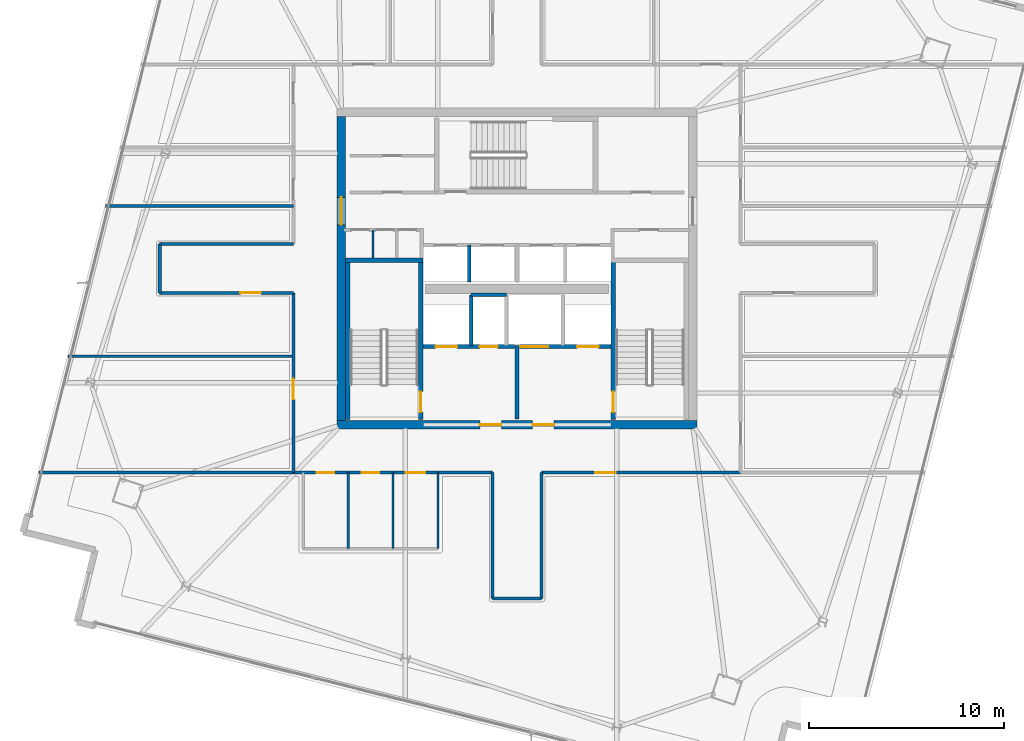
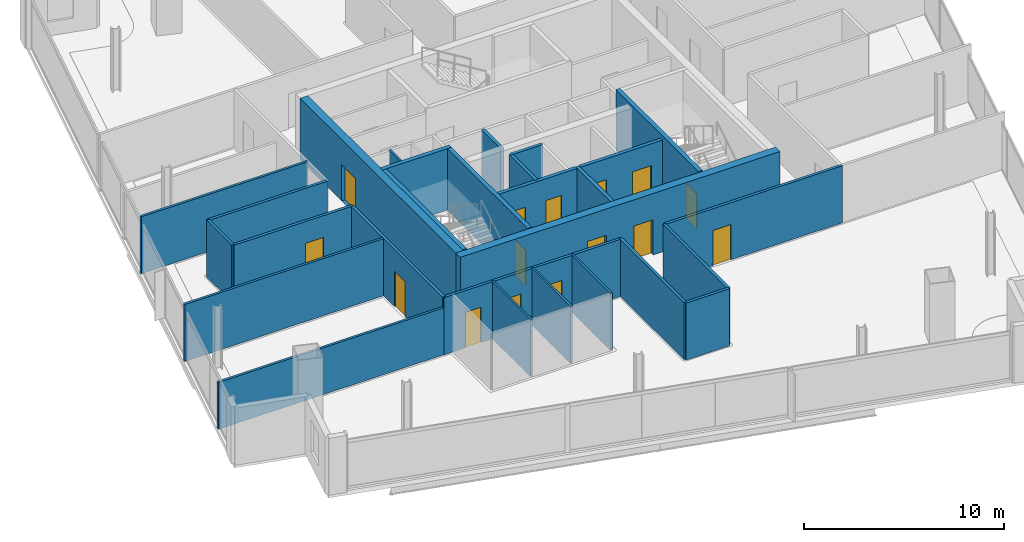
# One storey, part 20 of 28: 28 walls, 15 doors, 15 openings.
"""IFC4 building model written with IfcOpenShell, lengths in metres."""

import ifcopenshell
import ifcopenshell.guid

model = None  # the IFC model being written
_history = None  # IfcOwnerHistory: only IFC2X3 demands one
_inside = {}  # id of a spatial element -> (the spatial element, [elements in it])
_under = {}  # id of a project, library or spatial element -> (it, [spatial elements below it])
_declared = {}  # id of a project -> (the project, [libraries it declares])
_typed = {}  # id of a type object -> (the type object, [elements of that type])
_made_of = {}  # id of a material, layer set ... -> (it, [elements and type objects made of it])


def new_model(schema):
    """Start an empty IFC model of exactly this schema.

    Asked for "IFC4X3", IfcOpenShell would pick the latest addendum, in which some entities
    have other attributes; the version numbers below select the first issue.
    IFC2X3 requires an IfcOwnerHistory on every rooted entity: one is made here for all.
    """
    global model, _history
    if schema == "IFC4X3":
        model = ifcopenshell.file(schema_version=(4, 3, 0, 0))
    else:
        model = ifcopenshell.file(schema=schema)
    _inside.clear()
    _under.clear()
    _declared.clear()
    _typed.clear()
    _made_of.clear()
    _history = None
    if model.schema == "IFC2X3":
        org = make("IfcOrganization", Name="unknown")
        user = make(
            "IfcPersonAndOrganization",
            ThePerson=make("IfcPerson", FamilyName="unknown"),
            TheOrganization=org,
        )
        app = make(
            "IfcApplication",
            ApplicationDeveloper=org,
            Version="unknown",
            ApplicationFullName="unknown",
            ApplicationIdentifier="unknown",
        )
        _history = make(
            "IfcOwnerHistory",
            OwningUser=user,
            OwningApplication=app,
            ChangeAction="ADDED",
            CreationDate=0,
        )
    return model


def make(cls, **values):
    """One entity of the class cls with the attributes given. An attribute that is None is left unset."""
    return model.create_entity(
        cls, **{name: value for name, value in values.items() if value is not None}
    )


def rooted(cls, **values):
    """An entity with a GlobalId (a new one), such as an element, a storey or a relation."""
    return make(cls, GlobalId=ifcopenshell.guid.new(), OwnerHistory=_history, **values)


def si_unit(unit_type, name, prefix=None):
    """IfcSIUnit, for example si_unit("LENGTHUNIT", "METRE", prefix="MILLI")."""
    return make("IfcSIUnit", UnitType=unit_type, Prefix=prefix, Name=name)


def assignment(units):
    """IfcUnitAssignment: the units of a project."""
    return None if units is None else make("IfcUnitAssignment", Units=units)


def point(xyz):
    """IfcCartesianPoint."""
    return None if xyz is None else make("IfcCartesianPoint", Coordinates=xyz)


def direction(xyz):
    """IfcDirection."""
    return None if xyz is None else make("IfcDirection", DirectionRatios=xyz)


def frame(location, z_axis=None, x_axis=None):
    """IfcAxis2Placement3D, a coordinate frame: its origin and axes. An axis left out is left unset."""
    return make(
        "IfcAxis2Placement3D",
        Location=point(location),
        Axis=direction(z_axis),
        RefDirection=direction(x_axis),
    )


def frame_2d(location, x_axis=None):
    """IfcAxis2Placement2D, a coordinate frame in the plane: its origin and x axis."""
    return make(
        "IfcAxis2Placement2D", Location=point(location), RefDirection=direction(x_axis)
    )


def origin():
    """The frame at (0, 0, 0) with its axes left unset."""
    return frame((0.0, 0.0, 0.0))


def place(relative_to, where):
    """IfcLocalPlacement: puts the frame where relative to a parent placement (None: the world)."""
    return make(
        "IfcLocalPlacement", PlacementRelTo=relative_to, RelativePlacement=where
    )


def context(
    kind, dimensions, precision=None, world=None, true_north=None, identifier=None
):
    """IfcGeometricRepresentationContext, for example the 3D "Model" context."""
    return make(
        "IfcGeometricRepresentationContext",
        ContextIdentifier=identifier,
        ContextType=kind,
        CoordinateSpaceDimension=dimensions,
        Precision=precision,
        WorldCoordinateSystem=world,
        TrueNorth=true_north,
    )


def subcontext(parent, identifier, kind, view, scale=None):
    """IfcGeometricRepresentationSubContext, for example "Body" below "Model"."""
    return make(
        "IfcGeometricRepresentationSubContext",
        ContextIdentifier=identifier,
        ContextType=kind,
        ParentContext=parent,
        TargetScale=scale,
        TargetView=view,
    )


def project(units=None, contexts=None):
    """IfcProject with its units and contexts."""
    return rooted(
        "IfcProject",
        Name="project",
        RepresentationContexts=contexts,
        UnitsInContext=assignment(units),
    )


def spatial(cls, under=None, at=None, **own):
    """A site, building, storey or space (cls), placed at a placement, below another one or the project."""
    s = rooted(cls, ObjectPlacement=at, **own)
    if under is not None:
        _under.setdefault(under.id(), (under, []))[1].append(s)
    return s


def profile(cls, at=None, kind="AREA", **sizes):
    """A parametric profile (cls). Its sizes go by their IFC names, for example OverallWidth=200.0."""
    return make(cls, ProfileType=kind, Position=at, **sizes)


def rectangle(**sizes):
    """IfcRectangleProfileDef."""
    return profile("IfcRectangleProfileDef", **sizes)


def extrude(swept, where, along, depth):
    """IfcExtrudedAreaSolid: the profile swept, set in the frame where, extruded along a direction by depth."""
    return make(
        "IfcExtrudedAreaSolid",
        SweptArea=swept,
        Position=where,
        ExtrudedDirection=direction(along),
        Depth=depth,
    )


def shape(context_of_items, identifier, shape_type, items):
    """IfcShapeRepresentation: the items that make up one representation, for example the "Body"."""
    return make(
        "IfcShapeRepresentation",
        ContextOfItems=context_of_items,
        RepresentationIdentifier=identifier,
        RepresentationType=shape_type,
        Items=items,
    )


def material(Name=None, Category=None):
    """IfcMaterial."""
    return make("IfcMaterial", Name=Name, Category=Category)


def layer(
    of_material, thickness, ventilated=None, Name=None, Category=None, Priority=None
):
    """IfcMaterialLayer: one layer of a wall or slab, of a material (None: an air gap)."""
    return make(
        "IfcMaterialLayer",
        Material=of_material,
        LayerThickness=thickness,
        IsVentilated=ventilated,
        Name=Name,
        Category=Category,
        Priority=Priority,
    )


def layer_set(layers, Name=None):
    """IfcMaterialLayerSet."""
    return make("IfcMaterialLayerSet", MaterialLayers=layers, LayerSetName=Name)


def made_of(thing, what):
    """Note that an element or type object is made of a material, layer set ...; save() writes the relation."""
    if what is not None:
        _made_of.setdefault(what.id(), (what, []))[1].append(thing)
    return thing


def type_object(cls, material=None, **own):
    """A type object (cls), such as IfcWallType, which elements share."""
    return made_of(rooted(cls, **own), material)


def element(
    cls,
    number,
    at=None,
    inside=None,
    cuts=None,
    type_object=None,
    material=None,
    context=None,
    identifier="Body",
    shape_type=None,
    held_by="IfcProductDefinitionShape",
    body=None,
    shapes=None,
    **own,
):
    """One element of the class cls, such as IfcWall. Its Tag is "e" and its number.

    at: its placement. inside: the storey or other place that contains it. cuts: it is an
    opening in that element (IfcRelVoidsElement). A single representation is given by context,
    identifier, shape_type and body (its items); several are given by shapes. held_by: the class
    of the entity that holds the representations. save() writes the other relations.
    """
    e = rooted(cls, Tag="e%d" % number, ObjectPlacement=at, **own)
    if body is not None:
        shapes = [shape(context, identifier, shape_type, body)]
    if shapes is not None:
        e.Representation = make(held_by, Representations=shapes)
    if inside is not None:
        _inside.setdefault(inside.id(), (inside, []))[1].append(e)
    if cuts is not None:
        rooted(
            "IfcRelVoidsElement", RelatingBuildingElement=cuts, RelatedOpeningElement=e
        )
    if type_object is not None:
        _typed.setdefault(type_object.id(), (type_object, []))[1].append(e)
    return made_of(e, material)


def fill(opening, filler):
    """IfcRelFillsElement: the door or window that sits in an opening."""
    return rooted(
        "IfcRelFillsElement",
        RelatingOpeningElement=opening,
        RelatedBuildingElement=filler,
    )


def aggregate(whole, parts):
    """IfcRelAggregates: a whole, such as a stair, and the parts it consists of."""
    return rooted("IfcRelAggregates", RelatingObject=whole, RelatedObjects=parts)


def save(model, path):
    """Write the relations noted so far, then the file.

    IfcRelAggregates (storeys below a building ...), IfcRelContainedInSpatialStructure (elements
    in a storey), IfcRelDefinesByType, IfcRelAssociatesMaterial and IfcRelDeclares: one each for
    every whole, place, type object, material and project.
    """
    for whole, parts in _under.values():
        aggregate(whole, parts)
    for where, things in _inside.values():
        rooted(
            "IfcRelContainedInSpatialStructure",
            RelatedElements=things,
            RelatingStructure=where,
        )
    for kind, things in _typed.values():
        rooted("IfcRelDefinesByType", RelatedObjects=things, RelatingType=kind)
    for what, things in _made_of.values():
        rooted("IfcRelAssociatesMaterial", RelatedObjects=things, RelatingMaterial=what)
    for by, libraries in _declared.values():
        rooted("IfcRelDeclares", RelatingContext=by, RelatedDefinitions=libraries)
    model.write(path)


model = new_model("IFC4")

# Units and contexts
model_context = context("Model", 3, precision=1e-05, world=origin(), true_north=direction((0.0, 1.0)))
body_context = subcontext(model_context, "Body", "Model", "MODEL_VIEW")
ifc_project = project(units=[si_unit("LENGTHUNIT", "METRE"), si_unit("AREAUNIT", "SQUARE_METRE"), si_unit("VOLUMEUNIT", "CUBIC_METRE"), si_unit("PLANEANGLEUNIT", "RADIAN"), si_unit("MASSUNIT", "GRAM", prefix="KILO")], contexts=[model_context])

# Site, building, storey
site_placement = place(None, origin())
site = spatial("IfcSite", under=ifc_project, at=site_placement, CompositionType="ELEMENT")
building_placement = place(site_placement, origin())
building = spatial("IfcBuilding", under=site, at=building_placement, Name="Haldenkirk Collegiate Tower", CompositionType="ELEMENT")
storey_placement = place(building_placement, frame((0.0, 0.0, 282.449951171875)))
storey = spatial("IfcBuildingStorey", under=building, at=storey_placement, Name="L71", CompositionType="ELEMENT", Elevation=282.449951171875)

# Wall, openings, doors
ifc_material_1 = material(Name="Concrete f'c 55 MPa", Category="concrete")
ifc_layer_1 = layer(ifc_material_1, 0.449951171875)
ifc_layer_set_1 = layer_set([ifc_layer_1], Name="Concrete f'c 55 MPa")
wall_type_1 = type_object("IfcWallType", Name="WL-CORE-450", PredefinedType="SHEAR", material=ifc_layer_set_1)
wall_1_placement = place(storey_placement, frame((26.77490234375, 18.0, 0.0), z_axis=(0.0, 0.0, 1.0), x_axis=(1.0, 0.0, 0.0)))
wall_1 = element("IfcWall", 1, at=wall_1_placement, inside=storey, type_object=wall_type_1, Name="L71 central core shear wall S", PredefinedType="SHEAR", context=body_context, shape_type="SweptSolid", body=[
    extrude(rectangle(XDim=18.4501953125, YDim=0.449951171875, at=frame_2d((9.22509765625, 0.0))), origin(), (0.0, 0.0, 1.0), 3.75),
])
opening_1_placement = place(wall_1_placement, frame((7.324951171875, 0.0, 0.0)))
opening_1 = element("IfcOpeningElement", 2, at=opening_1_placement, cuts=wall_1, Name="Opening D-02", PredefinedType="OPENING", context=body_context, shape_type="SweptSolid", body=[
    extrude(rectangle(XDim=1.10009765625, YDim=2.14990234375, at=frame_2d((0.550048828125, 1.074951171875))), frame((0.0, 0.23486328125, 0.0), z_axis=(0.0, -1.0, 0.0), x_axis=(1.0, 0.0, 0.0)), (0.0, 0.0, 1.0), 0.469970703125),
])
opening_2_placement = place(wall_1_placement, frame((10.02490234375, 0.0, 0.0)))
opening_2 = element("IfcOpeningElement", 3, at=opening_2_placement, cuts=wall_1, Name="Opening D-02", PredefinedType="OPENING", context=body_context, shape_type="SweptSolid", body=[
    extrude(rectangle(XDim=1.10009765625, YDim=2.14990234375, at=frame_2d((0.550048828125, 1.074951171875))), frame((0.0, 0.23486328125, 0.0), z_axis=(0.0, -1.0, 0.0), x_axis=(1.0, 0.0, 0.0)), (0.0, 0.0, 1.0), 0.469970703125),
])
ifc_material_2 = material(Name="Galvanized fire-rated hollow steel door", Category="steel")
ifc_layer_2 = layer(ifc_material_2, 0.06005859375)
ifc_layer_set_2 = layer_set([ifc_layer_2], Name="Galvanized fire-rated hollow steel door")
door_type_1 = type_object("IfcDoorType", Name="DR-STAIR-FD90-1100", OperationType="NOTDEFINED", PredefinedType="DOOR", material=ifc_layer_set_2)
door_1_placement = place(opening_1_placement, origin())
door_1 = element("IfcDoor", 4, at=door_1_placement, inside=storey, type_object=door_type_1, Name="L71 Firefighting Lobby 1 door", OperationType="SINGLE_SWING_LEFT", OverallHeight=2.14990234375, OverallWidth=1.10009765625, PredefinedType="DOOR", context=body_context, shape_type="SweptSolid", body=[
    extrude(rectangle(XDim=1.10009765625, YDim=2.14990234375, at=frame_2d((0.550048828125, 1.074951171875))), frame((0.0, 0.02490234375, 0.0), z_axis=(0.0, -1.0, 0.0), x_axis=(1.0, 0.0, 0.0)), (0.0, 0.0, 1.0), 0.050048828125),
])
fill(opening_1, door_1)
door_2_placement = place(opening_2_placement, origin())
door_2 = element("IfcDoor", 5, at=door_2_placement, inside=storey, type_object=door_type_1, Name="L71 Firefighting Lobby 2 door", OperationType="SINGLE_SWING_RIGHT", OverallHeight=2.14990234375, OverallWidth=1.10009765625, PredefinedType="DOOR", context=body_context, shape_type="SweptSolid", body=[
    extrude(rectangle(XDim=1.10009765625, YDim=2.14990234375, at=frame_2d((0.550048828125, 1.074951171875))), frame((0.0, 0.02490234375, 0.0), z_axis=(0.0, -1.0, 0.0), x_axis=(1.0, 0.0, 0.0)), (0.0, 0.0, 1.0), 0.050048828125),
])
fill(opening_2, door_2)

# Wall, opening, door
wall_2_placement = place(storey_placement, frame((27.0, 18.22509765625, 0.0), z_axis=(0.0, 0.0, 1.0), x_axis=(0.0, 1.0, 0.0)))
wall_2 = element("IfcWall", 6, at=wall_2_placement, inside=storey, type_object=wall_type_1, Name="L71 central core shear wall W", PredefinedType="SHEAR", context=body_context, shape_type="SweptSolid", body=[
    extrude(rectangle(XDim=15.5498046875, YDim=0.449951171875, at=frame_2d((7.77490234375, 0.0))), origin(), (0.0, 0.0, 1.0), 3.75),
])
opening_3_placement = place(wall_2_placement, frame((10.014892578125, 0.0, 0.0)))
opening_3 = element("IfcOpeningElement", 7, at=opening_3_placement, cuts=wall_2, Name="Opening D-03", PredefinedType="OPENING", context=body_context, shape_type="SweptSolid", body=[
    extrude(rectangle(XDim=1.39990234375, YDim=2.199951171875, at=frame_2d((0.699951171875, 1.10009765625))), frame((0.0, 0.23486328125, 0.0), z_axis=(0.0, -1.0, 0.0), x_axis=(1.0, 0.0, 0.0)), (0.0, 0.0, 1.0), 0.469970703125),
])
ifc_layer_3 = layer(ifc_material_2, 0.06005859375)
ifc_layer_set_3 = layer_set([ifc_layer_3], Name="Galvanized fire-rated hollow steel door")
door_type_2 = type_object("IfcDoorType", Name="DR-LOBBY-FD90-1400", OperationType="NOTDEFINED", PredefinedType="DOOR", material=ifc_layer_set_3)
door_3_placement = place(opening_3_placement, origin())
door_3 = element("IfcDoor", 8, at=door_3_placement, inside=storey, type_object=door_type_2, Name="L71 west lift lobby portal", OperationType="DOUBLE_DOOR_SINGLE_SWING", OverallHeight=2.199951171875, OverallWidth=1.39990234375, PredefinedType="DOOR", context=body_context, shape_type="SweptSolid", body=[
    extrude(rectangle(XDim=1.39990234375, YDim=2.199951171875, at=frame_2d((0.699951171875, 1.10009765625))), frame((0.0, 0.02490234375, 0.0), z_axis=(0.0, -1.0, 0.0), x_axis=(1.0, 0.0, 0.0)), (0.0, 0.0, 1.0), 0.050048828125),
])
fill(opening_3, door_3)

# Wall, openings, doors
ifc_material_3 = material(Name="Acoustic fire-rated gypsum partition", Category="concrete")
ifc_layer_4 = layer(ifc_material_3, 0.159912109375)
ifc_layer_set_4 = layer_set([ifc_layer_4], Name="Acoustic fire-rated gypsum partition")
wall_type_2 = type_object("IfcWallType", Name="WL-INT-CORR-160", PredefinedType="PARTITIONING", material=ifc_layer_set_4)
wall_3_placement = place(storey_placement, frame((24.5, 15.550048828125, 0.0), z_axis=(0.0, 0.0, 1.0), x_axis=(1.0, 0.0, 0.0)))
wall_3 = element("IfcWall", 9, at=wall_3_placement, inside=storey, type_object=wall_type_2, Name="L71 interior partition IW-L71-CS1", PredefinedType="PARTITIONING", context=body_context, shape_type="SweptSolid", body=[
    extrude(rectangle(XDim=10.25, YDim=0.159912109375, at=frame_2d((5.125, 0.0))), origin(), (0.0, 0.0, 1.0), 3.47998046875),
])
opening_4_placement = place(wall_3_placement, frame((1.25, 0.0, 0.0)))
opening_4 = element("IfcOpeningElement", 10, at=opening_4_placement, cuts=wall_3, Name="Opening D-13", PredefinedType="OPENING", context=body_context, shape_type="SweptSolid", body=[
    extrude(rectangle(XDim=0.89990234375, YDim=2.14990234375, at=frame_2d((0.449951171875, 1.074951171875))), frame((0.0, 0.08984375, 0.0), z_axis=(0.0, -1.0, 0.0), x_axis=(1.0, 0.0, 0.0)), (0.0, 0.0, 1.0), 0.179931640625),
])
opening_5_placement = place(wall_3_placement, frame((3.550048828125, 0.0, 0.0)))
opening_5 = element("IfcOpeningElement", 11, at=opening_5_placement, cuts=wall_3, Name="Opening D-13", PredefinedType="OPENING", context=body_context, shape_type="SweptSolid", body=[
    extrude(rectangle(XDim=0.89990234375, YDim=2.14990234375, at=frame_2d((0.449951171875, 1.074951171875))), frame((0.0, 0.08984375, 0.0), z_axis=(0.0, -1.0, 0.0), x_axis=(1.0, 0.0, 0.0)), (0.0, 0.0, 1.0), 0.179931640625),
])
opening_6_placement = place(wall_3_placement, frame((5.800048828125, 0.0, 0.0)))
opening_6 = element("IfcOpeningElement", 12, at=opening_6_placement, cuts=wall_3, Name="Opening D-14", PredefinedType="OPENING", context=body_context, shape_type="SweptSolid", body=[
    extrude(rectangle(XDim=1.0, YDim=2.14990234375, at=frame_2d((0.5, 1.074951171875))), frame((0.0, 0.08984375, 0.0), z_axis=(0.0, -1.0, 0.0), x_axis=(1.0, 0.0, 0.0)), (0.0, 0.0, 1.0), 0.179931640625),
])
ifc_material_4 = material(Name="Solid-core architectural oak fire door", Category="wood")
ifc_layer_5 = layer(ifc_material_4, 0.06005859375)
ifc_layer_set_5 = layer_set([ifc_layer_5], Name="Solid-core architectural oak fire door")
door_type_3 = type_object("IfcDoorType", Name="DR-INT-ACC-1000", OperationType="NOTDEFINED", PredefinedType="DOOR", material=ifc_layer_set_5)
door_4_placement = place(opening_6_placement, origin())
door_4 = element("IfcDoor", 13, at=door_4_placement, inside=storey, type_object=door_type_3, Name="L71 Accessible WC door", OperationType="SINGLE_SWING_RIGHT", OverallHeight=2.14990234375, OverallWidth=1.0, PredefinedType="DOOR", context=body_context, shape_type="SweptSolid", body=[
    extrude(rectangle(XDim=1.0, YDim=2.14990234375, at=frame_2d((0.5, 1.074951171875))), frame((0.0, 0.02490234375, 0.0), z_axis=(0.0, -1.0, 0.0), x_axis=(1.0, 0.0, 0.0)), (0.0, 0.0, 1.0), 0.050048828125),
])
fill(opening_6, door_4)
ifc_layer_6 = layer(ifc_material_4, 0.06005859375)
ifc_layer_set_6 = layer_set([ifc_layer_6], Name="Solid-core architectural oak fire door")
door_type_4 = type_object("IfcDoorType", Name="DR-INT-STD-900", OperationType="NOTDEFINED", PredefinedType="DOOR", material=ifc_layer_set_6)
door_5_placement = place(opening_4_placement, origin())
door_5 = element("IfcDoor", 14, at=door_5_placement, inside=storey, type_object=door_type_4, Name="L71 Male WC door", OperationType="SINGLE_SWING_RIGHT", OverallHeight=2.14990234375, OverallWidth=0.89990234375, PredefinedType="DOOR", context=body_context, shape_type="SweptSolid", body=[
    extrude(rectangle(XDim=0.89990234375, YDim=2.14990234375, at=frame_2d((0.449951171875, 1.074951171875))), frame((0.0, 0.02490234375, 0.0), z_axis=(0.0, -1.0, 0.0), x_axis=(1.0, 0.0, 0.0)), (0.0, 0.0, 1.0), 0.050048828125),
])
fill(opening_4, door_5)
door_6_placement = place(opening_5_placement, origin())
door_6 = element("IfcDoor", 15, at=door_6_placement, inside=storey, type_object=door_type_4, Name="L71 Female WC door", OperationType="SINGLE_SWING_LEFT", OverallHeight=2.14990234375, OverallWidth=0.89990234375, PredefinedType="DOOR", context=body_context, shape_type="SweptSolid", body=[
    extrude(rectangle(XDim=0.89990234375, YDim=2.14990234375, at=frame_2d((0.449951171875, 1.074951171875))), frame((0.0, 0.02490234375, 0.0), z_axis=(0.0, -1.0, 0.0), x_axis=(1.0, 0.0, 0.0)), (0.0, 0.0, 1.0), 0.050048828125),
])
fill(opening_5, door_6)

# Wall, opening, door
wall_4_placement = place(storey_placement, frame((37.25, 15.550048828125, 0.0), z_axis=(0.0, 0.0, 1.0), x_axis=(1.0, 0.0, 0.0)))
wall_4 = element("IfcWall", 16, at=wall_4_placement, inside=storey, type_object=wall_type_2, Name="L71 interior partition IW-L71-CS2", PredefinedType="PARTITIONING", context=body_context, shape_type="SweptSolid", body=[
    extrude(rectangle(XDim=10.25, YDim=0.159912109375, at=frame_2d((5.125, 0.0))), origin(), (0.0, 0.0, 1.0), 3.47998046875),
])
opening_7_placement = place(wall_4_placement, frame((2.7548828125, 0.0, 0.0)))
opening_7 = element("IfcOpeningElement", 17, at=opening_7_placement, cuts=wall_4, Name="Opening D-09", PredefinedType="OPENING", context=body_context, shape_type="SweptSolid", body=[
    extrude(rectangle(XDim=1.050048828125, YDim=2.14990234375, at=frame_2d((0.52490234375, 1.074951171875))), frame((0.0, 0.08984375, 0.0), z_axis=(0.0, -1.0, 0.0), x_axis=(1.0, 0.0, 0.0)), (0.0, 0.0, 1.0), 0.179931640625),
])
ifc_layer_7 = layer(ifc_material_4, 0.06005859375)
ifc_layer_set_7 = layer_set([ifc_layer_7], Name="Solid-core architectural oak fire door")
door_type_5 = type_object("IfcDoorType", Name="DR-INT-FD60-1050", OperationType="NOTDEFINED", PredefinedType="DOOR", material=ifc_layer_set_7)
door_7_placement = place(opening_7_placement, origin())
door_7 = element("IfcDoor", 18, at=door_7_placement, inside=storey, type_object=door_type_5, Name="L71 Hospitality Tea Kitchen 1 door", OperationType="SINGLE_SWING_LEFT", OverallHeight=2.14990234375, OverallWidth=1.050048828125, PredefinedType="DOOR", context=body_context, shape_type="SweptSolid", body=[
    extrude(rectangle(XDim=1.050048828125, YDim=2.14990234375, at=frame_2d((0.52490234375, 1.074951171875))), frame((0.0, 0.02490234375, 0.0), z_axis=(0.0, -1.0, 0.0), x_axis=(1.0, 0.0, 0.0)), (0.0, 0.0, 1.0), 0.050048828125),
])
fill(opening_7, door_7)

wall_5_placement = place(storey_placement, frame((24.550048828125, 15.550048828125, 0.0), z_axis=(0.0, 0.0, 1.0), x_axis=(0.0, 1.0, 0.0)))
wall_5 = element("IfcWall", 19, at=wall_5_placement, inside=storey, type_object=wall_type_2, Name="L71 interior partition IW-L71-CW1", PredefinedType="PARTITIONING", context=body_context, shape_type="SweptSolid", body=[
    extrude(rectangle(XDim=9.199951171875, YDim=0.159912109375, at=frame_2d((4.60009765625, 0.0))), origin(), (0.0, 0.0, 1.0), 3.47998046875),
])
opening_8_placement = place(wall_5_placement, frame((3.7470703125, 0.0, 0.0)))
opening_8 = element("IfcOpeningElement", 20, at=opening_8_placement, cuts=wall_5, Name="Opening D-09", PredefinedType="OPENING", context=body_context, shape_type="SweptSolid", body=[
    extrude(rectangle(XDim=1.050048828125, YDim=2.14990234375, at=frame_2d((0.52490234375, 1.074951171875))), frame((0.0, 0.08984375, 0.0), z_axis=(0.0, -1.0, 0.0), x_axis=(1.0, 0.0, 0.0)), (0.0, 0.0, 1.0), 0.179931640625),
])
door_8_placement = place(opening_8_placement, origin())
door_8 = element("IfcDoor", 21, at=door_8_placement, inside=storey, type_object=door_type_5, Name="L71 Wet Science Laboratory 5 door", OperationType="SINGLE_SWING_LEFT", OverallHeight=2.14990234375, OverallWidth=1.050048828125, PredefinedType="DOOR", context=body_context, shape_type="SweptSolid", body=[
    extrude(rectangle(XDim=1.050048828125, YDim=2.14990234375, at=frame_2d((0.52490234375, 1.074951171875))), frame((0.0, 0.02490234375, 0.0), z_axis=(0.0, -1.0, 0.0), x_axis=(1.0, 0.0, 0.0)), (0.0, 0.0, 1.0), 0.050048828125),
])
fill(opening_8, door_8)

# Walls
for number, where, z_axis, x_axis, name in (
    (22, (34.75, 9.10009765625, 0.0), (0.0, 0.0, 1.0), (0.0, 1.0, 0.0), "L71 interior partition IW-L71-SPW"),
    (23, (37.25, 9.10009765625, 0.0), (0.0, 0.0, 1.0), (0.0, 1.0, 0.0), "L71 interior partition IW-L71-SPE"),
):
    element("IfcWall", number, at=place(storey_placement, frame(where, z_axis=z_axis, x_axis=x_axis)), inside=storey, type_object=wall_type_2, Name=name, PredefinedType="PARTITIONING", context=body_context, shape_type="SweptSolid", body=[
        extrude(rectangle(XDim=6.449951171875, YDim=0.159912109375, at=frame_2d((3.22509765625, 0.0))), origin(), (0.0, 0.0, 1.0), 3.47998046875),
    ])
wall_6_placement = place(storey_placement, frame((34.75, 9.10009765625, 0.0), z_axis=(0.0, 0.0, 1.0), x_axis=(1.0, 0.0, 0.0)))
element("IfcWall", 24, at=wall_6_placement, inside=storey, type_object=wall_type_2, Name="L71 interior partition IW-L71-SPS", PredefinedType="PARTITIONING", context=body_context, shape_type="SweptSolid", body=[
    extrude(rectangle(XDim=2.5, YDim=0.159912109375, at=frame_2d((1.25, 0.0))), origin(), (0.0, 0.0, 1.0), 3.47998046875),
])

# Wall, opening, door
wall_7_placement = place(storey_placement, frame((17.699951171875, 24.75, 0.0), z_axis=(0.0, 0.0, 1.0), x_axis=(1.0, 0.0, 0.0)))
wall_7 = element("IfcWall", 25, at=wall_7_placement, inside=storey, type_object=wall_type_2, Name="L71 interior partition IW-L71-WPS", PredefinedType="PARTITIONING", context=body_context, shape_type="SweptSolid", body=[
    extrude(rectangle(XDim=6.85009765625, YDim=0.159912109375, at=frame_2d((3.425048828125, 0.0))), origin(), (0.0, 0.0, 1.0), 3.47998046875),
])
opening_9_placement = place(wall_7_placement, frame((4.133056640625, 0.0, 0.0)))
opening_9 = element("IfcOpeningElement", 26, at=opening_9_placement, cuts=wall_7, Name="Opening D-09", PredefinedType="OPENING", context=body_context, shape_type="SweptSolid", body=[
    extrude(rectangle(XDim=1.050048828125, YDim=2.14990234375, at=frame_2d((0.52490234375, 1.074951171875))), frame((0.0, 0.08984375, 0.0), z_axis=(0.0, -1.0, 0.0), x_axis=(1.0, 0.0, 0.0)), (0.0, 0.0, 1.0), 0.179931640625),
])
door_9_placement = place(opening_9_placement, origin())
door_9 = element("IfcDoor", 27, at=door_9_placement, inside=storey, type_object=door_type_5, Name="L71 Model Shop Laboratory 6 door", OperationType="SINGLE_SWING_RIGHT", OverallHeight=2.14990234375, OverallWidth=1.050048828125, PredefinedType="DOOR", context=body_context, shape_type="SweptSolid", body=[
    extrude(rectangle(XDim=1.050048828125, YDim=2.14990234375, at=frame_2d((0.52490234375, 1.074951171875))), frame((0.0, 0.02490234375, 0.0), z_axis=(0.0, -1.0, 0.0), x_axis=(1.0, 0.0, 0.0)), (0.0, 0.0, 1.0), 0.050048828125),
])
fill(opening_9, door_9)

# Walls
wall_8_placement = place(storey_placement, frame((17.699951171875, 27.25, 0.0), z_axis=(0.0, 0.0, 1.0), x_axis=(1.0, 0.0, 0.0)))
element("IfcWall", 28, at=wall_8_placement, inside=storey, type_object=wall_type_2, Name="L71 interior partition IW-L71-WPN", PredefinedType="PARTITIONING", context=body_context, shape_type="SweptSolid", body=[
    extrude(rectangle(XDim=6.85009765625, YDim=0.159912109375, at=frame_2d((3.425048828125, 0.0))), origin(), (0.0, 0.0, 1.0), 3.47998046875),
])
wall_9_placement = place(storey_placement, frame((17.699951171875, 24.75, 0.0), z_axis=(0.0, 0.0, 1.0), x_axis=(0.0, 1.0, 0.0)))
element("IfcWall", 29, at=wall_9_placement, inside=storey, type_object=wall_type_2, Name="L71 interior partition IW-L71-WPW", PredefinedType="PARTITIONING", context=body_context, shape_type="SweptSolid", body=[
    extrude(rectangle(XDim=2.5, YDim=0.159912109375, at=frame_2d((1.25, 0.0))), origin(), (0.0, 0.0, 1.0), 3.47998046875),
])
ifc_layer_8 = layer(ifc_material_3, 0.139892578125)
ifc_layer_set_8 = layer_set([ifc_layer_8], Name="Acoustic fire-rated gypsum partition")
wall_type_3 = type_object("IfcWallType", Name="WL-INT-DIV-140", PredefinedType="PARTITIONING", material=ifc_layer_set_8)
wall_10_placement = place(storey_placement, frame((11.506103515625, 15.550048828125, 0.0), z_axis=(0.0, 0.0, 1.0), x_axis=(1.0, 0.0, 0.0)))
element("IfcWall", 30, at=wall_10_placement, inside=storey, type_object=wall_type_3, Name="L71 interior partition IW-L71-BWS", PredefinedType="PARTITIONING", context=body_context, shape_type="SweptSolid", body=[
    extrude(rectangle(XDim=13.0439453125, YDim=0.139892578125, at=frame_2d((6.52197265625, 0.0))), origin(), (0.0, 0.0, 1.0), 2.858154296875),
])
wall_11_placement = place(storey_placement, frame((13.000732421875, 21.5, 0.0), z_axis=(0.0, 0.0, 1.0), x_axis=(1.0, 0.0, 0.0)))
element("IfcWall", 31, at=wall_11_placement, inside=storey, type_object=wall_type_3, Name="L71 interior partition IW-L71-RW1", PredefinedType="PARTITIONING", context=body_context, shape_type="SweptSolid", body=[
    extrude(rectangle(XDim=11.54931640625, YDim=0.139892578125, at=frame_2d((5.774658203125, 0.0))), origin(), (0.0, 0.0, 1.0), 3.47998046875),
])
wall_12_placement = place(storey_placement, frame((14.934814453125, 29.199951171875, 0.0), z_axis=(0.0, 0.0, 1.0), x_axis=(1.0, 0.0, 0.0)))
element("IfcWall", 32, at=wall_12_placement, inside=storey, type_object=wall_type_3, Name="L71 interior partition IW-L71-RW2", PredefinedType="PARTITIONING", context=body_context, shape_type="SweptSolid", body=[
    extrude(rectangle(XDim=9.615234375, YDim=0.139892578125, at=frame_2d((4.8076171875, 0.0))), origin(), (0.0, 0.0, 1.0), 3.47998046875),
])
ifc_material_5 = material(Name="Fire-rated gypsum shaftboard assembly", Category="concrete")
ifc_layer_9 = layer(ifc_material_5, 0.179931640625)
ifc_layer_set_9 = layer_set([ifc_layer_9], Name="Fire-rated gypsum shaftboard assembly")
wall_type_4 = type_object("IfcWallType", Name="WL-INT-SHAFT-180", PredefinedType="PARTITIONING", material=ifc_layer_set_9)
wall_13_placement = place(storey_placement, frame((33.64990234375, 22.050048828125, 0.0), z_axis=(0.0, 0.0, 1.0), x_axis=(0.0, 1.0, 0.0)))
element("IfcWall", 33, at=wall_13_placement, inside=storey, type_object=wall_type_4, Name="L71 interior partition IW-L71-FL1E", PredefinedType="PARTITIONING", context=body_context, shape_type="SweptSolid", body=[
    extrude(rectangle(XDim=2.599853515625, YDim=0.179931640625, at=frame_2d((1.2998046875, 0.0))), origin(), (0.0, 0.0, 1.0), 3.47998046875),
])
wall_14_placement = place(storey_placement, frame((33.64990234375, 24.64990234375, 0.0), z_axis=(0.0, 0.0, 1.0), x_axis=(1.0, 0.0, 0.0)))
element("IfcWall", 34, at=wall_14_placement, inside=storey, type_object=wall_type_4, Name="L71 interior partition IW-L71-RSRN", PredefinedType="PARTITIONING", context=body_context, shape_type="SweptSolid", body=[
    extrude(rectangle(XDim=1.800048828125, YDim=0.179931640625, at=frame_2d((0.89990234375, 0.0))), origin(), (0.0, 0.0, 1.0), 3.47998046875),
])
wall_15_placement = place(storey_placement, frame((33.5400390625, 25.300048828125, 0.0), z_axis=(0.0, 0.0, 1.0), x_axis=(0.0, 1.0, 0.0)))
element("IfcWall", 35, at=wall_15_placement, inside=storey, type_object=wall_type_4, Name="L71 interior partition IW-L71-PHV1", PredefinedType="PARTITIONING", context=body_context, shape_type="SweptSolid", body=[
    extrude(rectangle(XDim=1.89990234375, YDim=0.179931640625, at=frame_2d((0.949951171875, 0.0))), origin(), (0.0, 0.0, 1.0), 3.47998046875),
])
ifc_layer_10 = layer(ifc_material_5, 0.199951171875)
ifc_layer_set_10 = layer_set([ifc_layer_10], Name="Fire-rated gypsum shaftboard assembly")
wall_type_5 = type_object("IfcWallType", Name="WL-INT-SHAFT-200", PredefinedType="PARTITIONING", material=ifc_layer_set_10)
wall_16_placement = place(storey_placement, frame((36.0, 18.280029296875, 0.0), z_axis=(0.0, 0.0, 1.0), x_axis=(0.0, 1.0, 0.0)))
element("IfcWall", 36, at=wall_16_placement, inside=storey, type_object=wall_type_5, Name="L71 interior partition IW-L71-FFLM", PredefinedType="PARTITIONING", context=body_context, shape_type="SweptSolid", body=[
    extrude(rectangle(XDim=3.77001953125, YDim=0.199951171875, at=frame_2d((1.885009765625, 0.0))), origin(), (0.0, 0.0, 1.0), 3.47998046875),
])

# Wall, openings, doors
wall_17_placement = place(storey_placement, frame((31.18994140625, 22.0, 0.0), z_axis=(0.0, 0.0, 1.0), x_axis=(1.0, 0.0, 0.0)))
wall_17 = element("IfcWall", 37, at=wall_17_placement, inside=storey, type_object=wall_type_5, Name="L71 interior partition IW-L71-FFL1N", PredefinedType="PARTITIONING", context=body_context, shape_type="SweptSolid", body=[
    extrude(rectangle(XDim=4.68994140625, YDim=0.199951171875, at=frame_2d((2.344970703125, 0.0))), origin(), (0.0, 0.0, 1.0), 3.47998046875),
])
opening_10_placement = place(wall_17_placement, frame((2.909912109375, 0.0, 0.0)))
opening_10 = element("IfcOpeningElement", 38, at=opening_10_placement, cuts=wall_17, Name="Opening D-06", PredefinedType="OPENING", context=body_context, shape_type="SweptSolid", body=[
    extrude(rectangle(XDim=0.89990234375, YDim=2.14990234375, at=frame_2d((0.449951171875, 1.074951171875))), frame((0.0, 0.10986328125, 0.0), z_axis=(0.0, -1.0, 0.0), x_axis=(1.0, 0.0, 0.0)), (0.0, 0.0, 1.0), 0.219970703125),
])
opening_11_placement = place(wall_17_placement, frame((0.635009765625, 0.0, 0.0)))
opening_11 = element("IfcOpeningElement", 39, at=opening_11_placement, cuts=wall_17, Name="Opening LD-12", PredefinedType="OPENING", context=body_context, shape_type="SweptSolid", body=[
    extrude(rectangle(XDim=1.10009765625, YDim=2.14990234375, at=frame_2d((0.550048828125, 1.074951171875))), frame((0.0, 0.10986328125, 0.0), z_axis=(0.0, -1.0, 0.0), x_axis=(1.0, 0.0, 0.0)), (0.0, 0.0, 1.0), 0.219970703125),
])
ifc_layer_11 = layer(ifc_material_2, 0.06005859375)
ifc_layer_set_11 = layer_set([ifc_layer_11], Name="Galvanized fire-rated hollow steel door")
door_type_6 = type_object("IfcDoorType", Name="DR-INT-FD90-900", OperationType="NOTDEFINED", PredefinedType="DOOR", material=ifc_layer_set_11)
door_10_placement = place(opening_10_placement, origin())
door_10 = element("IfcDoor", 40, at=door_10_placement, inside=storey, type_object=door_type_6, Name="L71 electrical riser door", OperationType="SINGLE_SWING_LEFT", OverallHeight=2.14990234375, OverallWidth=0.89990234375, PredefinedType="DOOR", context=body_context, shape_type="SweptSolid", body=[
    extrude(rectangle(XDim=0.89990234375, YDim=2.14990234375, at=frame_2d((0.449951171875, 1.074951171875))), frame((0.0, 0.02490234375, 0.0), z_axis=(0.0, -1.0, 0.0), x_axis=(1.0, 0.0, 0.0)), (0.0, 0.0, 1.0), 0.050048828125),
])
fill(opening_10, door_10)
ifc_material_6 = material(Name="Brushed architectural stainless steel", Category="steel")
ifc_layer_12 = layer(ifc_material_6, 0.06005859375)
ifc_layer_set_12 = layer_set([ifc_layer_12], Name="Brushed architectural stainless steel")
door_type_7 = type_object("IfcDoorType", Name="LD-FIRE-1100", OperationType="NOTDEFINED", PredefinedType="DOOR", material=ifc_layer_set_12)
door_11_placement = place(opening_11_placement, origin())
door_11 = element("IfcDoor", 41, at=door_11_placement, inside=storey, type_object=door_type_7, Name="L71 Elevator FL1 sliding landing door", OperationType="SLIDING_TO_LEFT", OverallHeight=2.14990234375, OverallWidth=1.10009765625, PredefinedType="DOOR", context=body_context, shape_type="SweptSolid", body=[
    extrude(rectangle(XDim=1.10009765625, YDim=2.14990234375, at=frame_2d((0.550048828125, 1.074951171875))), frame((0.0, 0.02490234375, 0.0), z_axis=(0.0, -1.0, 0.0), x_axis=(1.0, 0.0, 0.0)), (0.0, 0.0, 1.0), 0.050048828125),
])
fill(opening_11, door_11)

wall_18_placement = place(storey_placement, frame((36.1201171875, 22.0, 0.0), z_axis=(0.0, 0.0, 1.0), x_axis=(1.0, 0.0, 0.0)))
wall_18 = element("IfcWall", 42, at=wall_18_placement, inside=storey, type_object=wall_type_5, Name="L71 interior partition IW-L71-FFL2N", PredefinedType="PARTITIONING", context=body_context, shape_type="SweptSolid", body=[
    extrude(rectangle(XDim=4.68994140625, YDim=0.199951171875, at=frame_2d((2.344970703125, 0.0))), origin(), (0.0, 0.0, 1.0), 3.47998046875),
])
opening_12_placement = place(wall_18_placement, frame((2.955078125, 0.0, 0.0)))
opening_12 = element("IfcOpeningElement", 43, at=opening_12_placement, cuts=wall_18, Name="Opening LD-12", PredefinedType="OPENING", context=body_context, shape_type="SweptSolid", body=[
    extrude(rectangle(XDim=1.10009765625, YDim=2.14990234375, at=frame_2d((0.550048828125, 1.074951171875))), frame((0.0, 0.10986328125, 0.0), z_axis=(0.0, -1.0, 0.0), x_axis=(1.0, 0.0, 0.0)), (0.0, 0.0, 1.0), 0.219970703125),
])
opening_13_placement = place(wall_18_placement, frame((0.080078125, 0.0, 0.0)))
opening_13 = element("IfcOpeningElement", 44, at=opening_13_placement, cuts=wall_18, Name="Opening LD-13", PredefinedType="OPENING", context=body_context, shape_type="SweptSolid", body=[
    extrude(rectangle(XDim=1.39990234375, YDim=2.199951171875, at=frame_2d((0.699951171875, 1.10009765625))), frame((0.0, 0.10986328125, 0.0), z_axis=(0.0, -1.0, 0.0), x_axis=(1.0, 0.0, 0.0)), (0.0, 0.0, 1.0), 0.219970703125),
])
door_12_placement = place(opening_12_placement, origin())
door_12 = element("IfcDoor", 45, at=door_12_placement, inside=storey, type_object=door_type_7, Name="L71 Elevator FL2 sliding landing door", OperationType="SLIDING_TO_LEFT", OverallHeight=2.14990234375, OverallWidth=1.10009765625, PredefinedType="DOOR", context=body_context, shape_type="SweptSolid", body=[
    extrude(rectangle(XDim=1.10009765625, YDim=2.14990234375, at=frame_2d((0.550048828125, 1.074951171875))), frame((0.0, 0.02490234375, 0.0), z_axis=(0.0, -1.0, 0.0), x_axis=(1.0, 0.0, 0.0)), (0.0, 0.0, 1.0), 0.050048828125),
])
fill(opening_12, door_12)
ifc_layer_13 = layer(ifc_material_6, 0.06005859375)
ifc_layer_set_13 = layer_set([ifc_layer_13], Name="Brushed architectural stainless steel")
door_type_8 = type_object("IfcDoorType", Name="LD-GOODS-1400", OperationType="NOTDEFINED", PredefinedType="DOOR", material=ifc_layer_set_13)
door_13_placement = place(opening_13_placement, origin())
door_13 = element("IfcDoor", 46, at=door_13_placement, inside=storey, type_object=door_type_8, Name="L71 Elevator GL1 sliding landing door", OperationType="SLIDING_TO_LEFT", OverallHeight=2.199951171875, OverallWidth=1.39990234375, PredefinedType="DOOR", context=body_context, shape_type="SweptSolid", body=[
    extrude(rectangle(XDim=1.39990234375, YDim=2.199951171875, at=frame_2d((0.699951171875, 1.10009765625))), frame((0.0, 0.02490234375, 0.0), z_axis=(0.0, -1.0, 0.0), x_axis=(1.0, 0.0, 0.0)), (0.0, 0.0, 1.0), 0.050048828125),
])
fill(opening_13, door_13)

# Walls
ifc_layer_14 = layer(ifc_material_3, 0.1201171875)
ifc_layer_set_14 = layer_set([ifc_layer_14], Name="Acoustic fire-rated gypsum partition")
wall_type_6 = type_object("IfcWallType", Name="WL-INT-WET-120", PredefinedType="PARTITIONING", material=ifc_layer_set_14)
wall_19_placement = place(storey_placement, frame((28.6201171875, 26.5400390625, 0.0), z_axis=(0.0, 0.0, 1.0), x_axis=(0.0, 1.0, 0.0)))
element("IfcWall", 47, at=wall_19_placement, inside=storey, type_object=wall_type_6, Name="L71 interior partition IW-L71-VCSW-M1", PredefinedType="PARTITIONING", context=body_context, shape_type="SweptSolid", body=[
    extrude(rectangle(XDim=1.43994140625, YDim=0.1201171875, at=frame_2d((0.719970703125, 0.0))), origin(), (0.0, 0.0, 1.0), 3.47998046875),
])
for number, where, z_axis, x_axis, name in (
    (48, (27.35009765625, 11.64990234375, 0.0), (0.0, 0.0, 1.0), (0.0, 1.0, 0.0), "L71 interior partition IW-L71-WC1"),
    (49, (29.64990234375, 11.64990234375, 0.0), (0.0, 0.0, 1.0), (0.0, 1.0, 0.0), "L71 interior partition IW-L71-WC2"),
    (50, (31.949951171875, 11.64990234375, 0.0), (0.0, 0.0, 1.0), (0.0, 1.0, 0.0), "L71 interior partition IW-L71-WCE"),
):
    element("IfcWall", number, at=place(storey_placement, frame(where, z_axis=z_axis, x_axis=x_axis)), inside=storey, type_object=wall_type_6, Name=name, PredefinedType="PARTITIONING", context=body_context, shape_type="SweptSolid", body=[
        extrude(rectangle(XDim=3.900146484375, YDim=0.1201171875, at=frame_2d((1.9501953125, 0.0))), origin(), (0.0, 0.0, 1.0), 3.47998046875),
    ])

# Wall, opening, door
ifc_layer_15 = layer(ifc_material_1, 0.239990234375)
ifc_layer_set_15 = layer_set([ifc_layer_15], Name="Concrete f'c 55 MPa")
wall_type_7 = type_object("IfcWallType", Name="WL-SHAFT-240", PredefinedType="SHEAR", material=ifc_layer_set_15)
wall_20_placement = place(storey_placement, frame((31.070068359375, 18.280029296875, 0.0), z_axis=(0.0, 0.0, 1.0), x_axis=(0.0, 1.0, 0.0)))
wall_20 = element("IfcWall", 51, at=wall_20_placement, inside=storey, type_object=wall_type_7, Name="L71 stair shaft shear wall SW-L71-ST1E", PredefinedType="SHEAR", context=body_context, shape_type="SweptSolid", body=[
    extrude(rectangle(XDim=8.260009765625, YDim=0.239990234375, at=frame_2d((4.1298828125, 0.0))), origin(), (0.0, 0.0, 1.0), 3.75),
])
opening_14_placement = place(wall_20_placement, frame((0.364990234375, 0.0, 0.0)))
opening_14 = element("IfcOpeningElement", 52, at=opening_14_placement, cuts=wall_20, Name="Opening D-01", PredefinedType="OPENING", context=body_context, shape_type="SweptSolid", body=[
    extrude(rectangle(XDim=1.050048828125, YDim=2.14990234375, at=frame_2d((0.52490234375, 1.074951171875))), frame((0.0, 0.1298828125, 0.0), z_axis=(0.0, -1.0, 0.0), x_axis=(1.0, 0.0, 0.0)), (0.0, 0.0, 1.0), 0.260009765625),
])
ifc_layer_16 = layer(ifc_material_2, 0.06005859375)
ifc_layer_set_16 = layer_set([ifc_layer_16], Name="Galvanized fire-rated hollow steel door")
door_type_9 = type_object("IfcDoorType", Name="DR-STAIR-FD90-1050", OperationType="NOTDEFINED", PredefinedType="DOOR", material=ifc_layer_set_16)
door_14_placement = place(opening_14_placement, origin())
door_14 = element("IfcDoor", 53, at=door_14_placement, inside=storey, type_object=door_type_9, Name="L71 Stair 1 door", OperationType="SINGLE_SWING_LEFT", OverallHeight=2.14990234375, OverallWidth=1.050048828125, PredefinedType="DOOR", context=body_context, shape_type="SweptSolid", body=[
    extrude(rectangle(XDim=1.050048828125, YDim=2.14990234375, at=frame_2d((0.52490234375, 1.074951171875))), frame((0.0, 0.02490234375, 0.0), z_axis=(0.0, -1.0, 0.0), x_axis=(1.0, 0.0, 0.0)), (0.0, 0.0, 1.0), 0.050048828125),
])
fill(opening_14, door_14)

# Walls
wall_21_placement = place(storey_placement, frame((27.2099609375, 26.419921875, 0.0), z_axis=(0.0, 0.0, 1.0), x_axis=(1.0, 0.0, 0.0)))
element("IfcWall", 54, at=wall_21_placement, inside=storey, type_object=wall_type_7, Name="L71 stair shaft shear wall SW-L71-ST1N", PredefinedType="SHEAR", context=body_context, shape_type="SweptSolid", body=[
    extrude(rectangle(XDim=3.97998046875, YDim=0.239990234375, at=frame_2d((1.989990234375, 0.0))), origin(), (0.0, 0.0, 1.0), 3.75),
])
wall_22_placement = place(storey_placement, frame((27.330078125, 18.280029296875, 0.0), z_axis=(0.0, 0.0, 1.0), x_axis=(0.0, 1.0, 0.0)))
element("IfcWall", 55, at=wall_22_placement, inside=storey, type_object=wall_type_7, Name="L71 stair shaft shear wall SW-L71-ST1W", PredefinedType="SHEAR", context=body_context, shape_type="SweptSolid", body=[
    extrude(rectangle(XDim=8.260009765625, YDim=0.239990234375, at=frame_2d((4.1298828125, 0.0))), origin(), (0.0, 0.0, 1.0), 3.75),
])

# Wall, opening, door
wall_23_placement = place(storey_placement, frame((40.929931640625, 18.280029296875, 0.0), z_axis=(0.0, 0.0, 1.0), x_axis=(0.0, 1.0, 0.0)))
wall_23 = element("IfcWall", 56, at=wall_23_placement, inside=storey, type_object=wall_type_7, Name="L71 stair shaft shear wall SW-L71-ST2W", PredefinedType="SHEAR", context=body_context, shape_type="SweptSolid", body=[
    extrude(rectangle(XDim=8.260009765625, YDim=0.239990234375, at=frame_2d((4.1298828125, 0.0))), origin(), (0.0, 0.0, 1.0), 3.75),
])
opening_15_placement = place(wall_23_placement, frame((0.364990234375, 0.0, 0.0)))
opening_15 = element("IfcOpeningElement", 57, at=opening_15_placement, cuts=wall_23, Name="Opening D-01", PredefinedType="OPENING", context=body_context, shape_type="SweptSolid", body=[
    extrude(rectangle(XDim=1.050048828125, YDim=2.14990234375, at=frame_2d((0.52490234375, 1.074951171875))), frame((0.0, 0.1298828125, 0.0), z_axis=(0.0, -1.0, 0.0), x_axis=(1.0, 0.0, 0.0)), (0.0, 0.0, 1.0), 0.260009765625),
])
door_15_placement = place(opening_15_placement, origin())
door_15 = element("IfcDoor", 58, at=door_15_placement, inside=storey, type_object=door_type_9, Name="L71 Stair 2 door", OperationType="SINGLE_SWING_RIGHT", OverallHeight=2.14990234375, OverallWidth=1.050048828125, PredefinedType="DOOR", context=body_context, shape_type="SweptSolid", body=[
    extrude(rectangle(XDim=1.050048828125, YDim=2.14990234375, at=frame_2d((0.52490234375, 1.074951171875))), frame((0.0, 0.02490234375, 0.0), z_axis=(0.0, -1.0, 0.0), x_axis=(1.0, 0.0, 0.0)), (0.0, 0.0, 1.0), 0.050048828125),
])
fill(opening_15, door_15)

save(model, "model.ifc")
